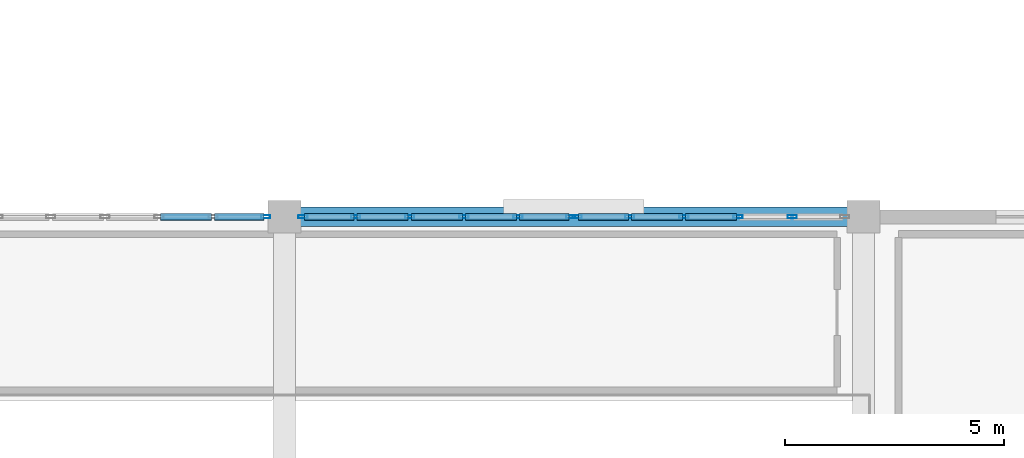
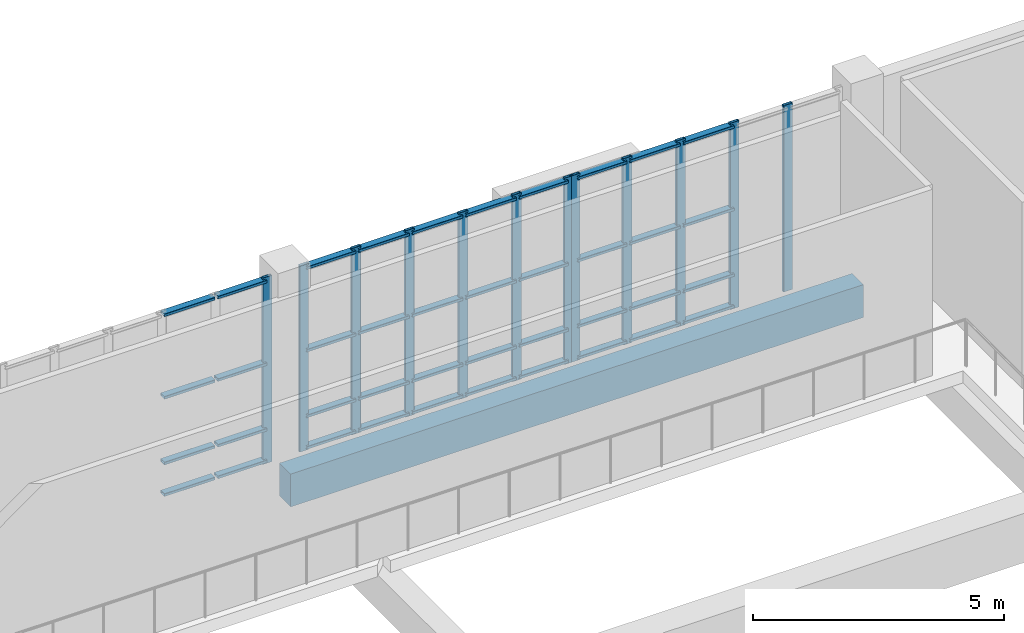
# One storey, part 49 of 106: 52 members, 1 beam, 3 elements without a shape of their own.
"""IFC4 building model written with IfcOpenShell, lengths in metres."""

from ifc_helpers import new_model, si_unit, direction, frame, origin, origin_2d, place, context, subcontext, project, spatial, rectangle, hollow_rectangle, extrude, material, layer, layer_set, material_profile, profile_set, type_object, element, aggregate, save


model = new_model("IFC4")

# Units and contexts
model_context = context("Model", 3, precision=1e-05, world=origin(), true_north=direction((0.0, 1.0)))
body_context = subcontext(model_context, "Body", "Model", "MODEL_VIEW")
ifc_project = project(units=[si_unit("LENGTHUNIT", "METRE"), si_unit("AREAUNIT", "SQUARE_METRE"), si_unit("VOLUMEUNIT", "CUBIC_METRE"), si_unit("PLANEANGLEUNIT", "RADIAN"), si_unit("MASSUNIT", "GRAM", prefix="KILO")], contexts=[model_context])

# Site, building, storey
site_placement = place(None, origin())
site = spatial("IfcSite", under=ifc_project, at=site_placement, CompositionType="ELEMENT")
building_placement = place(site_placement, origin())
building = spatial("IfcBuilding", under=site, at=building_placement, Name="Kisaragi Civic Commons", CompositionType="ELEMENT")
storey_placement = place(building_placement, frame((0.0, 0.0, 4.800048828125)))
storey = spatial("IfcBuildingStorey", under=building, at=storey_placement, Name="L01", CompositionType="ELEMENT", Elevation=4.800048828125)

# Curtain wall, member
ifc_material_1 = material(Name="Thermally broken anodized aluminium and low-E double glazing", Category="aluminium")
ifc_layer = layer(ifc_material_1, 0.2099609375, Name="Thermally broken anodized aluminium and low-E double glazing", Category="aluminium")
ifc_layer_set = layer_set([ifc_layer], Name="Thermally broken anodized aluminium and low-E double glazing")
curtain_wall_type = type_object("IfcCurtainWallType", Name="CW-02", PredefinedType="NOTDEFINED", material=ifc_layer_set)
curtain_wall_1_placement = place(storey_placement, origin())
curtain_wall_1 = element("IfcCurtainWall", 1, at=curtain_wall_1_placement, inside=storey, type_object=curtain_wall_type, Name="L01 curtain wall CW-02 CW-V3-L01-020", PredefinedType="NOTDEFINED")
ifc_material_profile_1 = material_profile(ifc_material_1, hollow_rectangle(XDim=0.070068359375, YDim=0.2099609375, WallThickness=0.0048828125, InnerFilletRadius=0.0048828125, OuterFilletRadius=0.010009765625, at=origin_2d()), Name="CWM-70x210x5", Category="aluminium")
ifc_profile_set_1 = profile_set([ifc_material_profile_1], Name="Thermally broken anodized aluminium and low-E double glazing")
member_type_1 = type_object("IfcMemberType", Name="CWM-03", PredefinedType="MULLION", material=ifc_profile_set_1)
member_1_placement = place(storey_placement, frame((145.97509765625, 25.199951171875, 0.0), z_axis=(0.0, 0.0, 1.0), x_axis=(0.0, 1.0, 0.0)))
member_1 = element("IfcMember", 2, at=member_1_placement, type_object=member_type_1, Name="CW-02 mullion 6", PredefinedType="MULLION", context=body_context, shape_type="SweptSolid", body=[
    extrude(hollow_rectangle(XDim=0.070068359375, YDim=0.2099609375, WallThickness=0.0048828125, InnerFilletRadius=0.0048828125, OuterFilletRadius=0.010009765625, at=origin_2d()), origin(), (0.0, 0.0, 1.0), 4.5400390625),
])

# Curtain wall, members
curtain_wall_2_placement = place(storey_placement, origin())
curtain_wall_2 = element("IfcCurtainWall", 3, at=curtain_wall_2_placement, inside=storey, type_object=curtain_wall_type, Name="L01 curtain wall CW-02 CW-V3-L01-021", PredefinedType="NOTDEFINED")
member_2_placement = place(storey_placement, frame((146.824951171875, 25.199951171875, 0.0), z_axis=(0.0, 0.0, 1.0), x_axis=(0.0, 1.0, 0.0)))
member_2 = element("IfcMember", 4, at=member_2_placement, type_object=member_type_1, Name="CW-02 mullion 1", PredefinedType="MULLION", context=body_context, shape_type="SweptSolid", body=[
    extrude(hollow_rectangle(XDim=0.070068359375, YDim=0.2099609375, WallThickness=0.0048828125, InnerFilletRadius=0.0048828125, OuterFilletRadius=0.010009765625, at=origin_2d()), origin(), (0.0, 0.0, 1.0), 4.5400390625),
])
member_3_placement = place(storey_placement, frame((148.02392578125, 25.199951171875, 0.0), z_axis=(0.0, 0.0, 1.0), x_axis=(0.0, 1.0, 0.0)))
member_3 = element("IfcMember", 5, at=member_3_placement, type_object=member_type_1, Name="CW-02 mullion 2", PredefinedType="MULLION", context=body_context, shape_type="SweptSolid", body=[
    extrude(hollow_rectangle(XDim=0.070068359375, YDim=0.2099609375, WallThickness=0.0048828125, InnerFilletRadius=0.0048828125, OuterFilletRadius=0.010009765625, at=origin_2d()), origin(), (0.0, 0.0, 1.0), 4.5400390625),
])
member_4_placement = place(storey_placement, frame((149.258056640625, 25.199951171875, 0.0), z_axis=(0.0, 0.0, 1.0), x_axis=(0.0, 1.0, 0.0)))
member_4 = element("IfcMember", 6, at=member_4_placement, type_object=member_type_1, Name="CW-02 mullion 3", PredefinedType="MULLION", context=body_context, shape_type="SweptSolid", body=[
    extrude(hollow_rectangle(XDim=0.070068359375, YDim=0.2099609375, WallThickness=0.0048828125, InnerFilletRadius=0.0048828125, OuterFilletRadius=0.010009765625, at=origin_2d()), origin(), (0.0, 0.0, 1.0), 4.5400390625),
])
member_5_placement = place(storey_placement, frame((150.491943359375, 25.199951171875, 0.0), z_axis=(0.0, 0.0, 1.0), x_axis=(0.0, 1.0, 0.0)))
member_5 = element("IfcMember", 7, at=member_5_placement, type_object=member_type_1, Name="CW-02 mullion 4", PredefinedType="MULLION", context=body_context, shape_type="SweptSolid", body=[
    extrude(hollow_rectangle(XDim=0.070068359375, YDim=0.2099609375, WallThickness=0.0048828125, InnerFilletRadius=0.0048828125, OuterFilletRadius=0.010009765625, at=origin_2d()), origin(), (0.0, 0.0, 1.0), 4.5400390625),
])
member_6_placement = place(storey_placement, frame((151.72607421875, 25.199951171875, 0.0), z_axis=(0.0, 0.0, 1.0), x_axis=(0.0, 1.0, 0.0)))
member_6 = element("IfcMember", 8, at=member_6_placement, type_object=member_type_1, Name="CW-02 mullion 5", PredefinedType="MULLION", context=body_context, shape_type="SweptSolid", body=[
    extrude(hollow_rectangle(XDim=0.070068359375, YDim=0.2099609375, WallThickness=0.0048828125, InnerFilletRadius=0.0048828125, OuterFilletRadius=0.010009765625, at=origin_2d()), origin(), (0.0, 0.0, 1.0), 4.5400390625),
])
member_7_placement = place(storey_placement, frame((152.925048828125, 25.199951171875, 0.0), z_axis=(0.0, 0.0, 1.0), x_axis=(0.0, 1.0, 0.0)))
member_7 = element("IfcMember", 9, at=member_7_placement, type_object=member_type_1, Name="CW-02 mullion 6", PredefinedType="MULLION", context=body_context, shape_type="SweptSolid", body=[
    extrude(hollow_rectangle(XDim=0.070068359375, YDim=0.2099609375, WallThickness=0.0048828125, InnerFilletRadius=0.0048828125, OuterFilletRadius=0.010009765625, at=origin_2d()), origin(), (0.0, 0.0, 1.0), 4.5400390625),
])

curtain_wall_3_placement = place(storey_placement, origin())
curtain_wall_3 = element("IfcCurtainWall", 10, at=curtain_wall_3_placement, inside=storey, type_object=curtain_wall_type, Name="L01 curtain wall CW-02 CW-V3-L01-022", PredefinedType="NOTDEFINED")
member_8_placement = place(storey_placement, frame((153.074951171875, 25.199951171875, 0.0), z_axis=(0.0, 0.0, 1.0), x_axis=(0.0, 1.0, 0.0)))
member_8 = element("IfcMember", 11, at=member_8_placement, type_object=member_type_1, Name="CW-02 mullion 1", PredefinedType="MULLION", context=body_context, shape_type="SweptSolid", body=[
    extrude(hollow_rectangle(XDim=0.070068359375, YDim=0.2099609375, WallThickness=0.0048828125, InnerFilletRadius=0.0048828125, OuterFilletRadius=0.010009765625, at=origin_2d()), origin(), (0.0, 0.0, 1.0), 4.5400390625),
])
member_9_placement = place(storey_placement, frame((154.27392578125, 25.199951171875, 0.0), z_axis=(0.0, 0.0, 1.0), x_axis=(0.0, 1.0, 0.0)))
member_9 = element("IfcMember", 12, at=member_9_placement, type_object=member_type_1, Name="CW-02 mullion 2", PredefinedType="MULLION", context=body_context, shape_type="SweptSolid", body=[
    extrude(hollow_rectangle(XDim=0.070068359375, YDim=0.2099609375, WallThickness=0.0048828125, InnerFilletRadius=0.0048828125, OuterFilletRadius=0.010009765625, at=origin_2d()), origin(), (0.0, 0.0, 1.0), 4.5400390625),
])
member_10_placement = place(storey_placement, frame((155.508056640625, 25.199951171875, 0.0), z_axis=(0.0, 0.0, 1.0), x_axis=(0.0, 1.0, 0.0)))
member_10 = element("IfcMember", 13, at=member_10_placement, type_object=member_type_1, Name="CW-02 mullion 3", PredefinedType="MULLION", context=body_context, shape_type="SweptSolid", body=[
    extrude(hollow_rectangle(XDim=0.070068359375, YDim=0.2099609375, WallThickness=0.0048828125, InnerFilletRadius=0.0048828125, OuterFilletRadius=0.010009765625, at=origin_2d()), origin(), (0.0, 0.0, 1.0), 4.5400390625),
])
member_11_placement = place(storey_placement, frame((156.741943359375, 25.199951171875, 0.0), z_axis=(0.0, 0.0, 1.0), x_axis=(0.0, 1.0, 0.0)))
member_11 = element("IfcMember", 14, at=member_11_placement, type_object=member_type_1, Name="CW-02 mullion 4", PredefinedType="MULLION", context=body_context, shape_type="SweptSolid", body=[
    extrude(hollow_rectangle(XDim=0.070068359375, YDim=0.2099609375, WallThickness=0.0048828125, InnerFilletRadius=0.0048828125, OuterFilletRadius=0.010009765625, at=origin_2d()), origin(), (0.0, 0.0, 1.0), 4.5400390625),
])
member_12_placement = place(storey_placement, frame((157.97607421875, 25.199951171875, 0.0), z_axis=(0.0, 0.0, 1.0), x_axis=(0.0, 1.0, 0.0)))
member_12 = element("IfcMember", 15, at=member_12_placement, type_object=member_type_1, Name="CW-02 mullion 5", PredefinedType="MULLION", context=body_context, shape_type="SweptSolid", body=[
    extrude(hollow_rectangle(XDim=0.070068359375, YDim=0.2099609375, WallThickness=0.0048828125, InnerFilletRadius=0.0048828125, OuterFilletRadius=0.010009765625, at=origin_2d()), origin(), (0.0, 0.0, 1.0), 4.5400390625),
])

# Member
ifc_material_profile_2 = material_profile(ifc_material_1, hollow_rectangle(XDim=0.159912109375, YDim=0.070068359375, WallThickness=0.0048828125, InnerFilletRadius=0.0048828125, OuterFilletRadius=0.010009765625, at=origin_2d()), Name="CWT-70x160x5", Category="aluminium")
ifc_profile_set_2 = profile_set([ifc_material_profile_2], Name="Thermally broken anodized aluminium and low-E double glazing")
member_type_2 = type_object("IfcMemberType", Name="CWT-03", PredefinedType="USERDEFINED", material=ifc_profile_set_2)
member_13_placement = place(storey_placement, frame((143.576904296875, 25.199951171875, 0.079833984375), z_axis=(1.0, 0.0, 0.0), x_axis=(0.0, 1.0, 0.0)))
member_13 = element("IfcMember", 16, at=member_13_placement, type_object=member_type_2, Name="CW-02 transom 4.1", ObjectType="TRANSOM", PredefinedType="USERDEFINED", context=body_context, shape_type="SweptSolid", body=[
    extrude(hollow_rectangle(XDim=0.159912109375, YDim=0.070068359375, WallThickness=0.0048828125, InnerFilletRadius=0.0048828125, OuterFilletRadius=0.010009765625, at=origin_2d()), origin(), (0.0, 0.0, 1.0), 1.1640625),
])

member_14_placement = place(storey_placement, frame((143.576904296875, 25.199951171875, 0.849853515625), z_axis=(1.0, 0.0, 0.0), x_axis=(0.0, 1.0, 0.0)))
member_14 = element("IfcMember", 17, at=member_14_placement, type_object=member_type_2, Name="CW-02 transom 4.2", ObjectType="TRANSOM", PredefinedType="USERDEFINED", context=body_context, shape_type="SweptSolid", body=[
    extrude(hollow_rectangle(XDim=0.159912109375, YDim=0.070068359375, WallThickness=0.0048828125, InnerFilletRadius=0.0048828125, OuterFilletRadius=0.010009765625, at=origin_2d()), origin(), (0.0, 0.0, 1.0), 1.1640625),
])

member_15_placement = place(storey_placement, frame((143.576904296875, 25.199951171875, 2.449951171875), z_axis=(1.0, 0.0, 0.0), x_axis=(0.0, 1.0, 0.0)))
member_15 = element("IfcMember", 18, at=member_15_placement, type_object=member_type_2, Name="CW-02 transom 4.3", ObjectType="TRANSOM", PredefinedType="USERDEFINED", context=body_context, shape_type="SweptSolid", body=[
    extrude(hollow_rectangle(XDim=0.159912109375, YDim=0.070068359375, WallThickness=0.0048828125, InnerFilletRadius=0.0048828125, OuterFilletRadius=0.010009765625, at=origin_2d()), origin(), (0.0, 0.0, 1.0), 1.1640625),
])

member_16_placement = place(storey_placement, frame((143.576904296875, 25.199951171875, 4.4599609375), z_axis=(1.0, 0.0, 0.0), x_axis=(0.0, 1.0, 0.0)))
member_16 = element("IfcMember", 19, at=member_16_placement, type_object=member_type_2, Name="CW-02 transom 4.4", ObjectType="TRANSOM", PredefinedType="USERDEFINED", context=body_context, shape_type="SweptSolid", body=[
    extrude(hollow_rectangle(XDim=0.159912109375, YDim=0.070068359375, WallThickness=0.0048828125, InnerFilletRadius=0.0048828125, OuterFilletRadius=0.010009765625, at=origin_2d()), origin(), (0.0, 0.0, 1.0), 1.1640625),
])

member_17_placement = place(storey_placement, frame((144.81103515625, 25.199951171875, 0.079833984375), z_axis=(1.0, 0.0, 0.0), x_axis=(0.0, 1.0, 0.0)))
member_17 = element("IfcMember", 20, at=member_17_placement, type_object=member_type_2, Name="CW-02 transom 5.1", ObjectType="TRANSOM", PredefinedType="USERDEFINED", context=body_context, shape_type="SweptSolid", body=[
    extrude(hollow_rectangle(XDim=0.159912109375, YDim=0.070068359375, WallThickness=0.0048828125, InnerFilletRadius=0.0048828125, OuterFilletRadius=0.010009765625, at=origin_2d()), origin(), (0.0, 0.0, 1.0), 1.12890625),
])

member_18_placement = place(storey_placement, frame((144.81103515625, 25.199951171875, 0.849853515625), z_axis=(1.0, 0.0, 0.0), x_axis=(0.0, 1.0, 0.0)))
member_18 = element("IfcMember", 21, at=member_18_placement, type_object=member_type_2, Name="CW-02 transom 5.2", ObjectType="TRANSOM", PredefinedType="USERDEFINED", context=body_context, shape_type="SweptSolid", body=[
    extrude(hollow_rectangle(XDim=0.159912109375, YDim=0.070068359375, WallThickness=0.0048828125, InnerFilletRadius=0.0048828125, OuterFilletRadius=0.010009765625, at=origin_2d()), origin(), (0.0, 0.0, 1.0), 1.12890625),
])

member_19_placement = place(storey_placement, frame((144.81103515625, 25.199951171875, 2.449951171875), z_axis=(1.0, 0.0, 0.0), x_axis=(0.0, 1.0, 0.0)))
member_19 = element("IfcMember", 22, at=member_19_placement, type_object=member_type_2, Name="CW-02 transom 5.3", ObjectType="TRANSOM", PredefinedType="USERDEFINED", context=body_context, shape_type="SweptSolid", body=[
    extrude(hollow_rectangle(XDim=0.159912109375, YDim=0.070068359375, WallThickness=0.0048828125, InnerFilletRadius=0.0048828125, OuterFilletRadius=0.010009765625, at=origin_2d()), origin(), (0.0, 0.0, 1.0), 1.12890625),
])

member_20_placement = place(storey_placement, frame((144.81103515625, 25.199951171875, 4.4599609375), z_axis=(1.0, 0.0, 0.0), x_axis=(0.0, 1.0, 0.0)))
member_20 = element("IfcMember", 23, at=member_20_placement, type_object=member_type_2, Name="CW-02 transom 5.4", ObjectType="TRANSOM", PredefinedType="USERDEFINED", context=body_context, shape_type="SweptSolid", body=[
    extrude(hollow_rectangle(XDim=0.159912109375, YDim=0.070068359375, WallThickness=0.0048828125, InnerFilletRadius=0.0048828125, OuterFilletRadius=0.010009765625, at=origin_2d()), origin(), (0.0, 0.0, 1.0), 1.12890625),
])

aggregate(curtain_wall_1, [member_1, member_13, member_14, member_15, member_16, member_17, member_18, member_19, member_20])

member_21_placement = place(storey_placement, frame((146.860107421875, 25.199951171875, 0.079833984375), z_axis=(1.0, 0.0, 0.0), x_axis=(0.0, 1.0, 0.0)))
member_21 = element("IfcMember", 24, at=member_21_placement, type_object=member_type_2, Name="CW-02 transom 1.1", ObjectType="TRANSOM", PredefinedType="USERDEFINED", context=body_context, shape_type="SweptSolid", body=[
    extrude(hollow_rectangle(XDim=0.159912109375, YDim=0.070068359375, WallThickness=0.0048828125, InnerFilletRadius=0.0048828125, OuterFilletRadius=0.010009765625, at=origin_2d()), origin(), (0.0, 0.0, 1.0), 1.12890625),
])

member_22_placement = place(storey_placement, frame((146.860107421875, 25.199951171875, 0.849853515625), z_axis=(1.0, 0.0, 0.0), x_axis=(0.0, 1.0, 0.0)))
member_22 = element("IfcMember", 25, at=member_22_placement, type_object=member_type_2, Name="CW-02 transom 1.2", ObjectType="TRANSOM", PredefinedType="USERDEFINED", context=body_context, shape_type="SweptSolid", body=[
    extrude(hollow_rectangle(XDim=0.159912109375, YDim=0.070068359375, WallThickness=0.0048828125, InnerFilletRadius=0.0048828125, OuterFilletRadius=0.010009765625, at=origin_2d()), origin(), (0.0, 0.0, 1.0), 1.12890625),
])

member_23_placement = place(storey_placement, frame((146.860107421875, 25.199951171875, 2.449951171875), z_axis=(1.0, 0.0, 0.0), x_axis=(0.0, 1.0, 0.0)))
member_23 = element("IfcMember", 26, at=member_23_placement, type_object=member_type_2, Name="CW-02 transom 1.3", ObjectType="TRANSOM", PredefinedType="USERDEFINED", context=body_context, shape_type="SweptSolid", body=[
    extrude(hollow_rectangle(XDim=0.159912109375, YDim=0.070068359375, WallThickness=0.0048828125, InnerFilletRadius=0.0048828125, OuterFilletRadius=0.010009765625, at=origin_2d()), origin(), (0.0, 0.0, 1.0), 1.12890625),
])

member_24_placement = place(storey_placement, frame((146.860107421875, 25.199951171875, 4.4599609375), z_axis=(1.0, 0.0, 0.0), x_axis=(0.0, 1.0, 0.0)))
member_24 = element("IfcMember", 27, at=member_24_placement, type_object=member_type_2, Name="CW-02 transom 1.4", ObjectType="TRANSOM", PredefinedType="USERDEFINED", context=body_context, shape_type="SweptSolid", body=[
    extrude(hollow_rectangle(XDim=0.159912109375, YDim=0.070068359375, WallThickness=0.0048828125, InnerFilletRadius=0.0048828125, OuterFilletRadius=0.010009765625, at=origin_2d()), origin(), (0.0, 0.0, 1.0), 1.12890625),
])

member_25_placement = place(storey_placement, frame((148.05908203125, 25.199951171875, 0.079833984375), z_axis=(1.0, 0.0, 0.0), x_axis=(0.0, 1.0, 0.0)))
member_25 = element("IfcMember", 28, at=member_25_placement, type_object=member_type_2, Name="CW-02 transom 2.1", ObjectType="TRANSOM", PredefinedType="USERDEFINED", context=body_context, shape_type="SweptSolid", body=[
    extrude(hollow_rectangle(XDim=0.159912109375, YDim=0.070068359375, WallThickness=0.0048828125, InnerFilletRadius=0.0048828125, OuterFilletRadius=0.010009765625, at=origin_2d()), origin(), (0.0, 0.0, 1.0), 1.163818359375),
])

member_26_placement = place(storey_placement, frame((148.05908203125, 25.199951171875, 0.849853515625), z_axis=(1.0, 0.0, 0.0), x_axis=(0.0, 1.0, 0.0)))
member_26 = element("IfcMember", 29, at=member_26_placement, type_object=member_type_2, Name="CW-02 transom 2.2", ObjectType="TRANSOM", PredefinedType="USERDEFINED", context=body_context, shape_type="SweptSolid", body=[
    extrude(hollow_rectangle(XDim=0.159912109375, YDim=0.070068359375, WallThickness=0.0048828125, InnerFilletRadius=0.0048828125, OuterFilletRadius=0.010009765625, at=origin_2d()), origin(), (0.0, 0.0, 1.0), 1.163818359375),
])

member_27_placement = place(storey_placement, frame((148.05908203125, 25.199951171875, 2.449951171875), z_axis=(1.0, 0.0, 0.0), x_axis=(0.0, 1.0, 0.0)))
member_27 = element("IfcMember", 30, at=member_27_placement, type_object=member_type_2, Name="CW-02 transom 2.3", ObjectType="TRANSOM", PredefinedType="USERDEFINED", context=body_context, shape_type="SweptSolid", body=[
    extrude(hollow_rectangle(XDim=0.159912109375, YDim=0.070068359375, WallThickness=0.0048828125, InnerFilletRadius=0.0048828125, OuterFilletRadius=0.010009765625, at=origin_2d()), origin(), (0.0, 0.0, 1.0), 1.163818359375),
])

member_28_placement = place(storey_placement, frame((148.05908203125, 25.199951171875, 4.4599609375), z_axis=(1.0, 0.0, 0.0), x_axis=(0.0, 1.0, 0.0)))
member_28 = element("IfcMember", 31, at=member_28_placement, type_object=member_type_2, Name="CW-02 transom 2.4", ObjectType="TRANSOM", PredefinedType="USERDEFINED", context=body_context, shape_type="SweptSolid", body=[
    extrude(hollow_rectangle(XDim=0.159912109375, YDim=0.070068359375, WallThickness=0.0048828125, InnerFilletRadius=0.0048828125, OuterFilletRadius=0.010009765625, at=origin_2d()), origin(), (0.0, 0.0, 1.0), 1.163818359375),
])

member_29_placement = place(storey_placement, frame((149.29296875, 25.199951171875, 0.079833984375), z_axis=(1.0, 0.0, 0.0), x_axis=(0.0, 1.0, 0.0)))
member_29 = element("IfcMember", 32, at=member_29_placement, type_object=member_type_2, Name="CW-02 transom 3.1", ObjectType="TRANSOM", PredefinedType="USERDEFINED", context=body_context, shape_type="SweptSolid", body=[
    extrude(hollow_rectangle(XDim=0.159912109375, YDim=0.070068359375, WallThickness=0.0048828125, InnerFilletRadius=0.0048828125, OuterFilletRadius=0.010009765625, at=origin_2d()), origin(), (0.0, 0.0, 1.0), 1.1640625),
])

member_30_placement = place(storey_placement, frame((149.29296875, 25.199951171875, 0.849853515625), z_axis=(1.0, 0.0, 0.0), x_axis=(0.0, 1.0, 0.0)))
member_30 = element("IfcMember", 33, at=member_30_placement, type_object=member_type_2, Name="CW-02 transom 3.2", ObjectType="TRANSOM", PredefinedType="USERDEFINED", context=body_context, shape_type="SweptSolid", body=[
    extrude(hollow_rectangle(XDim=0.159912109375, YDim=0.070068359375, WallThickness=0.0048828125, InnerFilletRadius=0.0048828125, OuterFilletRadius=0.010009765625, at=origin_2d()), origin(), (0.0, 0.0, 1.0), 1.1640625),
])

member_31_placement = place(storey_placement, frame((149.29296875, 25.199951171875, 2.449951171875), z_axis=(1.0, 0.0, 0.0), x_axis=(0.0, 1.0, 0.0)))
member_31 = element("IfcMember", 34, at=member_31_placement, type_object=member_type_2, Name="CW-02 transom 3.3", ObjectType="TRANSOM", PredefinedType="USERDEFINED", context=body_context, shape_type="SweptSolid", body=[
    extrude(hollow_rectangle(XDim=0.159912109375, YDim=0.070068359375, WallThickness=0.0048828125, InnerFilletRadius=0.0048828125, OuterFilletRadius=0.010009765625, at=origin_2d()), origin(), (0.0, 0.0, 1.0), 1.1640625),
])

member_32_placement = place(storey_placement, frame((149.29296875, 25.199951171875, 4.4599609375), z_axis=(1.0, 0.0, 0.0), x_axis=(0.0, 1.0, 0.0)))
member_32 = element("IfcMember", 35, at=member_32_placement, type_object=member_type_2, Name="CW-02 transom 3.4", ObjectType="TRANSOM", PredefinedType="USERDEFINED", context=body_context, shape_type="SweptSolid", body=[
    extrude(hollow_rectangle(XDim=0.159912109375, YDim=0.070068359375, WallThickness=0.0048828125, InnerFilletRadius=0.0048828125, OuterFilletRadius=0.010009765625, at=origin_2d()), origin(), (0.0, 0.0, 1.0), 1.1640625),
])

member_33_placement = place(storey_placement, frame((150.527099609375, 25.199951171875, 0.079833984375), z_axis=(1.0, 0.0, 0.0), x_axis=(0.0, 1.0, 0.0)))
member_33 = element("IfcMember", 36, at=member_33_placement, type_object=member_type_2, Name="CW-02 transom 4.1", ObjectType="TRANSOM", PredefinedType="USERDEFINED", context=body_context, shape_type="SweptSolid", body=[
    extrude(hollow_rectangle(XDim=0.159912109375, YDim=0.070068359375, WallThickness=0.0048828125, InnerFilletRadius=0.0048828125, OuterFilletRadius=0.010009765625, at=origin_2d()), origin(), (0.0, 0.0, 1.0), 1.163818359375),
])

member_34_placement = place(storey_placement, frame((150.527099609375, 25.199951171875, 0.849853515625), z_axis=(1.0, 0.0, 0.0), x_axis=(0.0, 1.0, 0.0)))
member_34 = element("IfcMember", 37, at=member_34_placement, type_object=member_type_2, Name="CW-02 transom 4.2", ObjectType="TRANSOM", PredefinedType="USERDEFINED", context=body_context, shape_type="SweptSolid", body=[
    extrude(hollow_rectangle(XDim=0.159912109375, YDim=0.070068359375, WallThickness=0.0048828125, InnerFilletRadius=0.0048828125, OuterFilletRadius=0.010009765625, at=origin_2d()), origin(), (0.0, 0.0, 1.0), 1.163818359375),
])

member_35_placement = place(storey_placement, frame((150.527099609375, 25.199951171875, 2.449951171875), z_axis=(1.0, 0.0, 0.0), x_axis=(0.0, 1.0, 0.0)))
member_35 = element("IfcMember", 38, at=member_35_placement, type_object=member_type_2, Name="CW-02 transom 4.3", ObjectType="TRANSOM", PredefinedType="USERDEFINED", context=body_context, shape_type="SweptSolid", body=[
    extrude(hollow_rectangle(XDim=0.159912109375, YDim=0.070068359375, WallThickness=0.0048828125, InnerFilletRadius=0.0048828125, OuterFilletRadius=0.010009765625, at=origin_2d()), origin(), (0.0, 0.0, 1.0), 1.163818359375),
])

member_36_placement = place(storey_placement, frame((150.527099609375, 25.199951171875, 4.4599609375), z_axis=(1.0, 0.0, 0.0), x_axis=(0.0, 1.0, 0.0)))
member_36 = element("IfcMember", 39, at=member_36_placement, type_object=member_type_2, Name="CW-02 transom 4.4", ObjectType="TRANSOM", PredefinedType="USERDEFINED", context=body_context, shape_type="SweptSolid", body=[
    extrude(hollow_rectangle(XDim=0.159912109375, YDim=0.070068359375, WallThickness=0.0048828125, InnerFilletRadius=0.0048828125, OuterFilletRadius=0.010009765625, at=origin_2d()), origin(), (0.0, 0.0, 1.0), 1.163818359375),
])

member_37_placement = place(storey_placement, frame((151.760986328125, 25.199951171875, 0.079833984375), z_axis=(1.0, 0.0, 0.0), x_axis=(0.0, 1.0, 0.0)))
member_37 = element("IfcMember", 40, at=member_37_placement, type_object=member_type_2, Name="CW-02 transom 5.1", ObjectType="TRANSOM", PredefinedType="USERDEFINED", context=body_context, shape_type="SweptSolid", body=[
    extrude(hollow_rectangle(XDim=0.159912109375, YDim=0.070068359375, WallThickness=0.0048828125, InnerFilletRadius=0.0048828125, OuterFilletRadius=0.010009765625, at=origin_2d()), origin(), (0.0, 0.0, 1.0), 1.12890625),
])

member_38_placement = place(storey_placement, frame((151.760986328125, 25.199951171875, 0.849853515625), z_axis=(1.0, 0.0, 0.0), x_axis=(0.0, 1.0, 0.0)))
member_38 = element("IfcMember", 41, at=member_38_placement, type_object=member_type_2, Name="CW-02 transom 5.2", ObjectType="TRANSOM", PredefinedType="USERDEFINED", context=body_context, shape_type="SweptSolid", body=[
    extrude(hollow_rectangle(XDim=0.159912109375, YDim=0.070068359375, WallThickness=0.0048828125, InnerFilletRadius=0.0048828125, OuterFilletRadius=0.010009765625, at=origin_2d()), origin(), (0.0, 0.0, 1.0), 1.12890625),
])

member_39_placement = place(storey_placement, frame((151.760986328125, 25.199951171875, 2.449951171875), z_axis=(1.0, 0.0, 0.0), x_axis=(0.0, 1.0, 0.0)))
member_39 = element("IfcMember", 42, at=member_39_placement, type_object=member_type_2, Name="CW-02 transom 5.3", ObjectType="TRANSOM", PredefinedType="USERDEFINED", context=body_context, shape_type="SweptSolid", body=[
    extrude(hollow_rectangle(XDim=0.159912109375, YDim=0.070068359375, WallThickness=0.0048828125, InnerFilletRadius=0.0048828125, OuterFilletRadius=0.010009765625, at=origin_2d()), origin(), (0.0, 0.0, 1.0), 1.12890625),
])

member_40_placement = place(storey_placement, frame((151.760986328125, 25.199951171875, 4.4599609375), z_axis=(1.0, 0.0, 0.0), x_axis=(0.0, 1.0, 0.0)))
member_40 = element("IfcMember", 43, at=member_40_placement, type_object=member_type_2, Name="CW-02 transom 5.4", ObjectType="TRANSOM", PredefinedType="USERDEFINED", context=body_context, shape_type="SweptSolid", body=[
    extrude(hollow_rectangle(XDim=0.159912109375, YDim=0.070068359375, WallThickness=0.0048828125, InnerFilletRadius=0.0048828125, OuterFilletRadius=0.010009765625, at=origin_2d()), origin(), (0.0, 0.0, 1.0), 1.12890625),
])

aggregate(curtain_wall_2, [member_2, member_3, member_4, member_5, member_6, member_7, member_21, member_22, member_23, member_24, member_25, member_26, member_27, member_28, member_29, member_30, member_31, member_32, member_33, member_34, member_35, member_36, member_37, member_38, member_39, member_40])

member_41_placement = place(storey_placement, frame((153.110107421875, 25.199951171875, 0.079833984375), z_axis=(1.0, 0.0, 0.0), x_axis=(0.0, 1.0, 0.0)))
member_41 = element("IfcMember", 44, at=member_41_placement, type_object=member_type_2, Name="CW-02 transom 1.1", ObjectType="TRANSOM", PredefinedType="USERDEFINED", context=body_context, shape_type="SweptSolid", body=[
    extrude(hollow_rectangle(XDim=0.159912109375, YDim=0.070068359375, WallThickness=0.0048828125, InnerFilletRadius=0.0048828125, OuterFilletRadius=0.010009765625, at=origin_2d()), origin(), (0.0, 0.0, 1.0), 1.12890625),
])

member_42_placement = place(storey_placement, frame((153.110107421875, 25.199951171875, 0.849853515625), z_axis=(1.0, 0.0, 0.0), x_axis=(0.0, 1.0, 0.0)))
member_42 = element("IfcMember", 45, at=member_42_placement, type_object=member_type_2, Name="CW-02 transom 1.2", ObjectType="TRANSOM", PredefinedType="USERDEFINED", context=body_context, shape_type="SweptSolid", body=[
    extrude(hollow_rectangle(XDim=0.159912109375, YDim=0.070068359375, WallThickness=0.0048828125, InnerFilletRadius=0.0048828125, OuterFilletRadius=0.010009765625, at=origin_2d()), origin(), (0.0, 0.0, 1.0), 1.12890625),
])

member_43_placement = place(storey_placement, frame((153.110107421875, 25.199951171875, 2.449951171875), z_axis=(1.0, 0.0, 0.0), x_axis=(0.0, 1.0, 0.0)))
member_43 = element("IfcMember", 46, at=member_43_placement, type_object=member_type_2, Name="CW-02 transom 1.3", ObjectType="TRANSOM", PredefinedType="USERDEFINED", context=body_context, shape_type="SweptSolid", body=[
    extrude(hollow_rectangle(XDim=0.159912109375, YDim=0.070068359375, WallThickness=0.0048828125, InnerFilletRadius=0.0048828125, OuterFilletRadius=0.010009765625, at=origin_2d()), origin(), (0.0, 0.0, 1.0), 1.12890625),
])

member_44_placement = place(storey_placement, frame((153.110107421875, 25.199951171875, 4.4599609375), z_axis=(1.0, 0.0, 0.0), x_axis=(0.0, 1.0, 0.0)))
member_44 = element("IfcMember", 47, at=member_44_placement, type_object=member_type_2, Name="CW-02 transom 1.4", ObjectType="TRANSOM", PredefinedType="USERDEFINED", context=body_context, shape_type="SweptSolid", body=[
    extrude(hollow_rectangle(XDim=0.159912109375, YDim=0.070068359375, WallThickness=0.0048828125, InnerFilletRadius=0.0048828125, OuterFilletRadius=0.010009765625, at=origin_2d()), origin(), (0.0, 0.0, 1.0), 1.12890625),
])

member_45_placement = place(storey_placement, frame((154.30908203125, 25.199951171875, 0.079833984375), z_axis=(1.0, 0.0, 0.0), x_axis=(0.0, 1.0, 0.0)))
member_45 = element("IfcMember", 48, at=member_45_placement, type_object=member_type_2, Name="CW-02 transom 2.1", ObjectType="TRANSOM", PredefinedType="USERDEFINED", context=body_context, shape_type="SweptSolid", body=[
    extrude(hollow_rectangle(XDim=0.159912109375, YDim=0.070068359375, WallThickness=0.0048828125, InnerFilletRadius=0.0048828125, OuterFilletRadius=0.010009765625, at=origin_2d()), origin(), (0.0, 0.0, 1.0), 1.163818359375),
])

member_46_placement = place(storey_placement, frame((154.30908203125, 25.199951171875, 0.849853515625), z_axis=(1.0, 0.0, 0.0), x_axis=(0.0, 1.0, 0.0)))
member_46 = element("IfcMember", 49, at=member_46_placement, type_object=member_type_2, Name="CW-02 transom 2.2", ObjectType="TRANSOM", PredefinedType="USERDEFINED", context=body_context, shape_type="SweptSolid", body=[
    extrude(hollow_rectangle(XDim=0.159912109375, YDim=0.070068359375, WallThickness=0.0048828125, InnerFilletRadius=0.0048828125, OuterFilletRadius=0.010009765625, at=origin_2d()), origin(), (0.0, 0.0, 1.0), 1.163818359375),
])

member_47_placement = place(storey_placement, frame((154.30908203125, 25.199951171875, 2.449951171875), z_axis=(1.0, 0.0, 0.0), x_axis=(0.0, 1.0, 0.0)))
member_47 = element("IfcMember", 50, at=member_47_placement, type_object=member_type_2, Name="CW-02 transom 2.3", ObjectType="TRANSOM", PredefinedType="USERDEFINED", context=body_context, shape_type="SweptSolid", body=[
    extrude(hollow_rectangle(XDim=0.159912109375, YDim=0.070068359375, WallThickness=0.0048828125, InnerFilletRadius=0.0048828125, OuterFilletRadius=0.010009765625, at=origin_2d()), origin(), (0.0, 0.0, 1.0), 1.163818359375),
])

member_48_placement = place(storey_placement, frame((154.30908203125, 25.199951171875, 4.4599609375), z_axis=(1.0, 0.0, 0.0), x_axis=(0.0, 1.0, 0.0)))
member_48 = element("IfcMember", 51, at=member_48_placement, type_object=member_type_2, Name="CW-02 transom 2.4", ObjectType="TRANSOM", PredefinedType="USERDEFINED", context=body_context, shape_type="SweptSolid", body=[
    extrude(hollow_rectangle(XDim=0.159912109375, YDim=0.070068359375, WallThickness=0.0048828125, InnerFilletRadius=0.0048828125, OuterFilletRadius=0.010009765625, at=origin_2d()), origin(), (0.0, 0.0, 1.0), 1.163818359375),
])

member_49_placement = place(storey_placement, frame((155.54296875, 25.199951171875, 0.079833984375), z_axis=(1.0, 0.0, 0.0), x_axis=(0.0, 1.0, 0.0)))
member_49 = element("IfcMember", 52, at=member_49_placement, type_object=member_type_2, Name="CW-02 transom 3.1", ObjectType="TRANSOM", PredefinedType="USERDEFINED", context=body_context, shape_type="SweptSolid", body=[
    extrude(hollow_rectangle(XDim=0.159912109375, YDim=0.070068359375, WallThickness=0.0048828125, InnerFilletRadius=0.0048828125, OuterFilletRadius=0.010009765625, at=origin_2d()), origin(), (0.0, 0.0, 1.0), 1.1640625),
])

member_50_placement = place(storey_placement, frame((155.54296875, 25.199951171875, 0.849853515625), z_axis=(1.0, 0.0, 0.0), x_axis=(0.0, 1.0, 0.0)))
member_50 = element("IfcMember", 53, at=member_50_placement, type_object=member_type_2, Name="CW-02 transom 3.2", ObjectType="TRANSOM", PredefinedType="USERDEFINED", context=body_context, shape_type="SweptSolid", body=[
    extrude(hollow_rectangle(XDim=0.159912109375, YDim=0.070068359375, WallThickness=0.0048828125, InnerFilletRadius=0.0048828125, OuterFilletRadius=0.010009765625, at=origin_2d()), origin(), (0.0, 0.0, 1.0), 1.1640625),
])

member_51_placement = place(storey_placement, frame((155.54296875, 25.199951171875, 2.449951171875), z_axis=(1.0, 0.0, 0.0), x_axis=(0.0, 1.0, 0.0)))
member_51 = element("IfcMember", 54, at=member_51_placement, type_object=member_type_2, Name="CW-02 transom 3.3", ObjectType="TRANSOM", PredefinedType="USERDEFINED", context=body_context, shape_type="SweptSolid", body=[
    extrude(hollow_rectangle(XDim=0.159912109375, YDim=0.070068359375, WallThickness=0.0048828125, InnerFilletRadius=0.0048828125, OuterFilletRadius=0.010009765625, at=origin_2d()), origin(), (0.0, 0.0, 1.0), 1.1640625),
])

member_52_placement = place(storey_placement, frame((155.54296875, 25.199951171875, 4.4599609375), z_axis=(1.0, 0.0, 0.0), x_axis=(0.0, 1.0, 0.0)))
member_52 = element("IfcMember", 55, at=member_52_placement, type_object=member_type_2, Name="CW-02 transom 3.4", ObjectType="TRANSOM", PredefinedType="USERDEFINED", context=body_context, shape_type="SweptSolid", body=[
    extrude(hollow_rectangle(XDim=0.159912109375, YDim=0.070068359375, WallThickness=0.0048828125, InnerFilletRadius=0.0048828125, OuterFilletRadius=0.010009765625, at=origin_2d()), origin(), (0.0, 0.0, 1.0), 1.1640625),
])

aggregate(curtain_wall_3, [member_8, member_9, member_10, member_11, member_12, member_41, member_42, member_43, member_44, member_45, member_46, member_47, member_48, member_49, member_50, member_51, member_52])

# Beam
ifc_material_2 = material(Name="Concrete Fc30", Category="concrete")
ifc_material_profile_3 = material_profile(ifc_material_2, rectangle(XDim=0.449951171875, YDim=0.800048828125, at=origin_2d()), Name="RC-450x800", Category="concrete")
ifc_profile_set_3 = profile_set([ifc_material_profile_3], Name="Concrete Fc30")
beam_type = type_object("IfcBeamType", Name="SPB-01", PredefinedType="SPANDREL", material=ifc_profile_set_3)
beam_placement = place(storey_placement, frame((146.39990234375, 25.199951171875, -0.705078125), z_axis=(1.0, 0.0, 0.0), x_axis=(0.0, 1.0, 0.0)))
element("IfcBeam", 56, at=beam_placement, inside=storey, type_object=beam_type, Name="L01 girder SPB-01 214", PredefinedType="SPANDREL", context=body_context, shape_type="SweptSolid", body=[
    extrude(rectangle(XDim=0.449951171875, YDim=0.800048828125, at=origin_2d()), origin(), (0.0, 0.0, 1.0), 13.2001953125),
])

save(model, "model.ifc")
